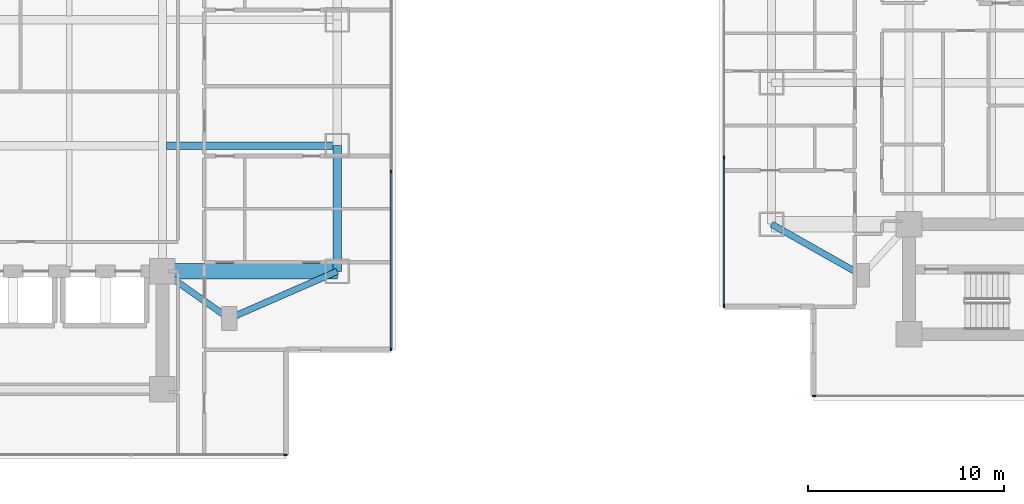
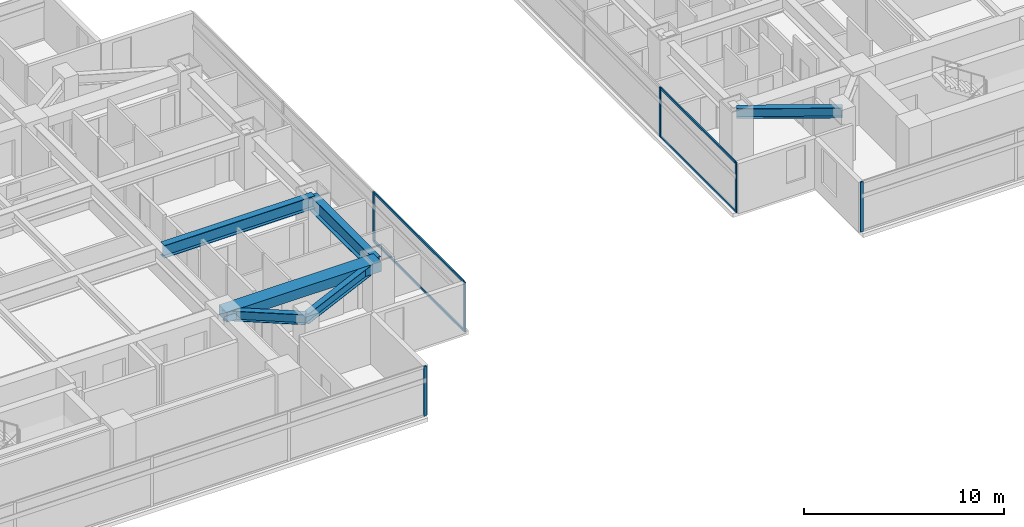
# One storey, part 4 of 25: 10 members, 6 beams, 4 elements without a shape of their own.
"""IFC4 building model written with IfcOpenShell, lengths in metres."""

import ifcopenshell
import ifcopenshell.guid

model = None  # the IFC model being written
_history = None  # IfcOwnerHistory: only IFC2X3 demands one
_inside = {}  # id of a spatial element -> (the spatial element, [elements in it])
_under = {}  # id of a project, library or spatial element -> (it, [spatial elements below it])
_declared = {}  # id of a project -> (the project, [libraries it declares])
_typed = {}  # id of a type object -> (the type object, [elements of that type])
_made_of = {}  # id of a material, layer set ... -> (it, [elements and type objects made of it])


def new_model(schema):
    """Start an empty IFC model of exactly this schema.

    Asked for "IFC4X3", IfcOpenShell would pick the latest addendum, in which some entities
    have other attributes; the version numbers below select the first issue.
    IFC2X3 requires an IfcOwnerHistory on every rooted entity: one is made here for all.
    """
    global model, _history
    if schema == "IFC4X3":
        model = ifcopenshell.file(schema_version=(4, 3, 0, 0))
    else:
        model = ifcopenshell.file(schema=schema)
    _inside.clear()
    _under.clear()
    _declared.clear()
    _typed.clear()
    _made_of.clear()
    _history = None
    if model.schema == "IFC2X3":
        org = make("IfcOrganization", Name="unknown")
        user = make(
            "IfcPersonAndOrganization",
            ThePerson=make("IfcPerson", FamilyName="unknown"),
            TheOrganization=org,
        )
        app = make(
            "IfcApplication",
            ApplicationDeveloper=org,
            Version="unknown",
            ApplicationFullName="unknown",
            ApplicationIdentifier="unknown",
        )
        _history = make(
            "IfcOwnerHistory",
            OwningUser=user,
            OwningApplication=app,
            ChangeAction="ADDED",
            CreationDate=0,
        )
    return model


def make(cls, **values):
    """One entity of the class cls with the attributes given. An attribute that is None is left unset."""
    return model.create_entity(
        cls, **{name: value for name, value in values.items() if value is not None}
    )


def rooted(cls, **values):
    """An entity with a GlobalId (a new one), such as an element, a storey or a relation."""
    return make(cls, GlobalId=ifcopenshell.guid.new(), OwnerHistory=_history, **values)


def si_unit(unit_type, name, prefix=None):
    """IfcSIUnit, for example si_unit("LENGTHUNIT", "METRE", prefix="MILLI")."""
    return make("IfcSIUnit", UnitType=unit_type, Prefix=prefix, Name=name)


def assignment(units):
    """IfcUnitAssignment: the units of a project."""
    return None if units is None else make("IfcUnitAssignment", Units=units)


def point(xyz):
    """IfcCartesianPoint."""
    return None if xyz is None else make("IfcCartesianPoint", Coordinates=xyz)


def direction(xyz):
    """IfcDirection."""
    return None if xyz is None else make("IfcDirection", DirectionRatios=xyz)


def frame(location, z_axis=None, x_axis=None):
    """IfcAxis2Placement3D, a coordinate frame: its origin and axes. An axis left out is left unset."""
    return make(
        "IfcAxis2Placement3D",
        Location=point(location),
        Axis=direction(z_axis),
        RefDirection=direction(x_axis),
    )


def frame_2d(location, x_axis=None):
    """IfcAxis2Placement2D, a coordinate frame in the plane: its origin and x axis."""
    return make(
        "IfcAxis2Placement2D", Location=point(location), RefDirection=direction(x_axis)
    )


def origin():
    """The frame at (0, 0, 0) with its axes left unset."""
    return frame((0.0, 0.0, 0.0))


def origin_2d():
    """The frame at (0, 0) in the plane with its x axis left unset."""
    return frame_2d((0.0, 0.0))


def place(relative_to, where):
    """IfcLocalPlacement: puts the frame where relative to a parent placement (None: the world)."""
    return make(
        "IfcLocalPlacement", PlacementRelTo=relative_to, RelativePlacement=where
    )


def context(
    kind, dimensions, precision=None, world=None, true_north=None, identifier=None
):
    """IfcGeometricRepresentationContext, for example the 3D "Model" context."""
    return make(
        "IfcGeometricRepresentationContext",
        ContextIdentifier=identifier,
        ContextType=kind,
        CoordinateSpaceDimension=dimensions,
        Precision=precision,
        WorldCoordinateSystem=world,
        TrueNorth=true_north,
    )


def subcontext(parent, identifier, kind, view, scale=None):
    """IfcGeometricRepresentationSubContext, for example "Body" below "Model"."""
    return make(
        "IfcGeometricRepresentationSubContext",
        ContextIdentifier=identifier,
        ContextType=kind,
        ParentContext=parent,
        TargetScale=scale,
        TargetView=view,
    )


def project(units=None, contexts=None):
    """IfcProject with its units and contexts."""
    return rooted(
        "IfcProject",
        Name="project",
        RepresentationContexts=contexts,
        UnitsInContext=assignment(units),
    )


def spatial(cls, under=None, at=None, **own):
    """A site, building, storey or space (cls), placed at a placement, below another one or the project."""
    s = rooted(cls, ObjectPlacement=at, **own)
    if under is not None:
        _under.setdefault(under.id(), (under, []))[1].append(s)
    return s


def profile(cls, at=None, kind="AREA", **sizes):
    """A parametric profile (cls). Its sizes go by their IFC names, for example OverallWidth=200.0."""
    return make(cls, ProfileType=kind, Position=at, **sizes)


def rectangle(**sizes):
    """IfcRectangleProfileDef."""
    return profile("IfcRectangleProfileDef", **sizes)


def i_section(**sizes):
    """IfcIShapeProfileDef."""
    return profile("IfcIShapeProfileDef", **sizes)


def extrude(swept, where, along, depth):
    """IfcExtrudedAreaSolid: the profile swept, set in the frame where, extruded along a direction by depth."""
    return make(
        "IfcExtrudedAreaSolid",
        SweptArea=swept,
        Position=where,
        ExtrudedDirection=direction(along),
        Depth=depth,
    )


def shape(context_of_items, identifier, shape_type, items):
    """IfcShapeRepresentation: the items that make up one representation, for example the "Body"."""
    return make(
        "IfcShapeRepresentation",
        ContextOfItems=context_of_items,
        RepresentationIdentifier=identifier,
        RepresentationType=shape_type,
        Items=items,
    )


def material(Name=None, Category=None):
    """IfcMaterial."""
    return make("IfcMaterial", Name=Name, Category=Category)


def material_profile(
    of_material, cross_section, Name=None, Category=None, Priority=None
):
    """IfcMaterialProfile: a cross section and its material."""
    return make(
        "IfcMaterialProfile",
        Name=Name,
        Material=of_material,
        Profile=cross_section,
        Priority=Priority,
        Category=Category,
    )


def profile_set(profiles, Name=None, composite=None):
    """IfcMaterialProfileSet."""
    return make(
        "IfcMaterialProfileSet",
        Name=Name,
        MaterialProfiles=profiles,
        CompositeProfile=composite,
    )


def made_of(thing, what):
    """Note that an element or type object is made of a material, layer set ...; save() writes the relation."""
    if what is not None:
        _made_of.setdefault(what.id(), (what, []))[1].append(thing)
    return thing


def type_object(cls, material=None, **own):
    """A type object (cls), such as IfcWallType, which elements share."""
    return made_of(rooted(cls, **own), material)


def element(
    cls,
    number,
    at=None,
    inside=None,
    cuts=None,
    type_object=None,
    material=None,
    context=None,
    identifier="Body",
    shape_type=None,
    held_by="IfcProductDefinitionShape",
    body=None,
    shapes=None,
    **own,
):
    """One element of the class cls, such as IfcWall. Its Tag is "e" and its number.

    at: its placement. inside: the storey or other place that contains it. cuts: it is an
    opening in that element (IfcRelVoidsElement). A single representation is given by context,
    identifier, shape_type and body (its items); several are given by shapes. held_by: the class
    of the entity that holds the representations. save() writes the other relations.
    """
    e = rooted(cls, Tag="e%d" % number, ObjectPlacement=at, **own)
    if body is not None:
        shapes = [shape(context, identifier, shape_type, body)]
    if shapes is not None:
        e.Representation = make(held_by, Representations=shapes)
    if inside is not None:
        _inside.setdefault(inside.id(), (inside, []))[1].append(e)
    if cuts is not None:
        rooted(
            "IfcRelVoidsElement", RelatingBuildingElement=cuts, RelatedOpeningElement=e
        )
    if type_object is not None:
        _typed.setdefault(type_object.id(), (type_object, []))[1].append(e)
    return made_of(e, material)


def aggregate(whole, parts):
    """IfcRelAggregates: a whole, such as a stair, and the parts it consists of."""
    return rooted("IfcRelAggregates", RelatingObject=whole, RelatedObjects=parts)


def save(model, path):
    """Write the relations noted so far, then the file.

    IfcRelAggregates (storeys below a building ...), IfcRelContainedInSpatialStructure (elements
    in a storey), IfcRelDefinesByType, IfcRelAssociatesMaterial and IfcRelDeclares: one each for
    every whole, place, type object, material and project.
    """
    for whole, parts in _under.values():
        aggregate(whole, parts)
    for where, things in _inside.values():
        rooted(
            "IfcRelContainedInSpatialStructure",
            RelatedElements=things,
            RelatingStructure=where,
        )
    for kind, things in _typed.values():
        rooted("IfcRelDefinesByType", RelatedObjects=things, RelatingType=kind)
    for what, things in _made_of.values():
        rooted("IfcRelAssociatesMaterial", RelatedObjects=things, RelatingMaterial=what)
    for by, libraries in _declared.values():
        rooted("IfcRelDeclares", RelatingContext=by, RelatedDefinitions=libraries)
    model.write(path)


model = new_model("IFC4")

# Units and contexts
model_context = context("Model", 3, precision=1e-05, world=origin(), true_north=direction((0.0, 1.0)))
body_context = subcontext(model_context, "Body", "Model", "MODEL_VIEW")
ifc_project = project(units=[si_unit("LENGTHUNIT", "METRE"), si_unit("AREAUNIT", "SQUARE_METRE"), si_unit("VOLUMEUNIT", "CUBIC_METRE"), si_unit("PLANEANGLEUNIT", "RADIAN"), si_unit("MASSUNIT", "GRAM", prefix="KILO")], contexts=[model_context])

# Site, building, storey
site_placement = place(None, origin())
site = spatial("IfcSite", under=ifc_project, at=site_placement, CompositionType="ELEMENT")
building_placement = place(site_placement, origin())
building = spatial("IfcBuilding", under=site, at=building_placement, Name="Mirazonda Arch Towers", CompositionType="ELEMENT")
storey_placement = place(building_placement, frame((0.0, 0.0, 58.699951171875)))
storey = spatial("IfcBuildingStorey", under=building, at=storey_placement, Name="L16", CompositionType="ELEMENT", Elevation=58.699951171875)

# Beams
ifc_material_1 = material(Name="Steel ASTM A992 Grade 50", Category="steel")
ifc_material_profile_1 = material_profile(ifc_material_1, i_section(OverallWidth=0.41796875, OverallDepth=0.927001953125, WebThickness=0.019287109375, FlangeThickness=0.031982421875, at=origin_2d()), Name="W36X231")
ifc_profile_set_1 = profile_set([ifc_material_profile_1], Name="Steel ASTM A992 Grade 50")
beam_type_1 = type_object("IfcBeamType", Name="BM-EXT-W36X231", PredefinedType="USERDEFINED", material=ifc_profile_set_1)
beam_1_placement = place(storey_placement, frame((38.89990234375, 18.39990234375, 2.596435546875), z_axis=(0.0, 1.0, 0.0), x_axis=(-1.0, 0.0, 0.0)))
element("IfcBeam", 1, at=beam_1_placement, inside=storey, type_object=beam_type_1, Name="L16 Floor Beam BM-T1-L16-NS-E-18", ObjectType="GIRDER", PredefinedType="USERDEFINED", context=body_context, shape_type="SweptSolid", body=[
    extrude(i_section(OverallWidth=0.41796875, OverallDepth=0.927001953125, WebThickness=0.019287109375, FlangeThickness=0.031982421875, at=origin_2d()), origin(), (0.0, 0.0, 1.0), 6.400146484375),
])
ifc_material_profile_2 = material_profile(ifc_material_1, i_section(OverallWidth=0.324951171875, OverallDepth=0.615966796875, WebThickness=0.013916015625, FlangeThickness=0.021484375, at=origin_2d()), Name="W24X117")
ifc_profile_set_2 = profile_set([ifc_material_profile_2], Name="Steel ASTM A992 Grade 50")
beam_type_2 = type_object("IfcBeamType", Name="BM-INT-W24X117", PredefinedType="BEAM", material=ifc_profile_set_2)
beam_2_placement = place(storey_placement, frame((33.39990234375, 16.0, 2.751953125), z_axis=(-0.816971114901, 0.576678591087, 0.0), x_axis=(-0.576678591087, -0.816971114901, 0.0)))
element("IfcBeam", 2, at=beam_2_placement, inside=storey, type_object=beam_type_2, Name="L16 Floor Beam BM-T1-L16-PL-SE1", PredefinedType="BEAM", context=body_context, shape_type="SweptSolid", body=[
    extrude(i_section(OverallWidth=0.324951171875, OverallDepth=0.615966796875, WebThickness=0.013916015625, FlangeThickness=0.021484375, at=origin_2d()), origin(), (0.0, 0.0, 1.0), 4.16162109375),
])
beam_3_placement = place(storey_placement, frame((33.39990234375, 16.0, 2.751953125), z_axis=(0.916545343703, 0.399930785183, 0.0), x_axis=(-0.399930785183, 0.916545343703, 0.0)))
element("IfcBeam", 3, at=beam_3_placement, inside=storey, type_object=beam_type_2, Name="L16 Floor Beam BM-T1-L16-PL-SE2", PredefinedType="BEAM", context=body_context, shape_type="SweptSolid", body=[
    extrude(i_section(OverallWidth=0.324951171875, OverallDepth=0.615966796875, WebThickness=0.013916015625, FlangeThickness=0.021484375, at=origin_2d()), origin(), (0.0, 0.0, 1.0), 6.000732421875),
])
beam_4_placement = place(storey_placement, frame((65.60009765625, 18.199951171875, 2.751953125), z_axis=(-0.870559396632, 0.492063346467, 0.0), x_axis=(-0.492063346467, -0.870559396632, 0.0)))
element("IfcBeam", 4, at=beam_4_placement, inside=storey, type_object=beam_type_2, Name="L16 Floor Beam BM-T2-L16-PL-SW2", PredefinedType="BEAM", context=body_context, shape_type="SweptSolid", body=[
    extrude(i_section(OverallWidth=0.324951171875, OverallDepth=0.615966796875, WebThickness=0.013916015625, FlangeThickness=0.021484375, at=origin_2d()), origin(), (0.0, 0.0, 1.0), 5.2841796875),
])
ifc_material_profile_3 = material_profile(ifc_material_1, i_section(OverallWidth=0.381103515625, OverallDepth=0.77294921875, WebThickness=0.0166015625, FlangeThickness=0.027099609375, at=origin_2d()), Name="W30X173")
ifc_profile_set_3 = profile_set([ifc_material_profile_3], Name="Steel ASTM A992 Grade 50")
beam_type_3 = type_object("IfcBeamType", Name="BM-INT-W30X173", PredefinedType="USERDEFINED", material=ifc_profile_set_3)
beam_5_placement = place(storey_placement, frame((30.21142578125, 24.800048828125, 2.673583984375), z_axis=(1.0, 0.0, 0.0), x_axis=(0.0, 1.0, 0.0)))
element("IfcBeam", 5, at=beam_5_placement, inside=storey, type_object=beam_type_3, Name="L16 Floor Beam BM-T1-L16-GE2", ObjectType="GIRDER", PredefinedType="USERDEFINED", context=body_context, shape_type="SweptSolid", body=[
    extrude(i_section(OverallWidth=0.381103515625, OverallDepth=0.77294921875, WebThickness=0.0166015625, FlangeThickness=0.027099609375, at=origin_2d()), origin(), (0.0, 0.0, 1.0), 8.6884765625),
])
ifc_material_2 = material(Name="Concrete C60/75", Category="concrete")
ifc_material_profile_4 = material_profile(ifc_material_2, rectangle(XDim=0.800048828125, YDim=0.60009765625, at=origin_2d()), Name="RCCB800x600")
ifc_profile_set_4 = profile_set([ifc_material_profile_4], Name="Concrete C60/75")
beam_type_4 = type_object("IfcBeamType", Name="CB-INT-RCCB800x600", PredefinedType="SPANDREL", material=ifc_profile_set_4)
beam_6_placement = place(storey_placement, frame((30.0, 18.39990234375, 2.760009765625), z_axis=(1.0, 0.0, 0.0), x_axis=(0.0, 1.0, 0.0)))
element("IfcBeam", 6, at=beam_6_placement, inside=storey, type_object=beam_type_4, Name="L16 Floor Beam CBC-T1-L16-SE", PredefinedType="SPANDREL", context=body_context, shape_type="SweptSolid", body=[
    extrude(rectangle(XDim=0.800048828125, YDim=0.60009765625, at=origin_2d()), origin(), (0.0, 0.0, 1.0), 8.89990234375),
])

# Curtain wall, member
ifc_material_3 = material(Name="Anodised Aluminium and Low-E Glass", Category="aluminium")
curtain_wall_type = type_object("IfcCurtainWallType", Name="CW-HTL-UNIT", PredefinedType="NOTDEFINED", material=ifc_material_3)
curtain_wall_1_placement = place(storey_placement, origin())
curtain_wall_1 = element("IfcCurtainWall", 7, at=curtain_wall_1_placement, inside=storey, type_object=curtain_wall_type, Name="L16 T1 S Facade CW-L16-T1-S", PredefinedType="NOTDEFINED")
ifc_material_4 = material(Name="Anodised Aluminium Alloy", Category="aluminium")
ifc_material_profile_5 = material_profile(ifc_material_4, rectangle(XDim=0.074951171875, YDim=0.1650390625, at=origin_2d()), Name="ALU-MULL-75x165")
ifc_profile_set_5 = profile_set([ifc_material_profile_5], Name="Anodised Aluminium Alloy")
member_type_1 = type_object("IfcMemberType", Name="MULL-CW-HTL-UNIT", PredefinedType="MULLION", material=ifc_profile_set_5)
member_1_placement = place(storey_placement, frame((36.262451171875, 9.06396484375, 0.0), z_axis=(0.0, 0.0, 1.0), x_axis=(0.0, -1.0, 0.0)))
member_1 = element("IfcMember", 8, at=member_1_placement, type_object=member_type_1, Name="CW-112 mullion 1", PredefinedType="MULLION", context=body_context, shape_type="SweptSolid", body=[
    extrude(rectangle(XDim=0.074951171875, YDim=0.1650390625, at=origin_2d()), origin(), (0.0, 0.0, 1.0), 3.0400390625),
])
aggregate(curtain_wall_1, [member_1])

# Curtain wall, members
curtain_wall_2_placement = place(storey_placement, origin())
curtain_wall_2 = element("IfcCurtainWall", 9, at=curtain_wall_2_placement, inside=storey, type_object=curtain_wall_type, Name="L16 T1 E Facade CW-L16-T1-E", PredefinedType="NOTDEFINED")
member_2_placement = place(storey_placement, frame((41.639892578125, 14.44140625, 0.0), z_axis=(0.0, 0.0, 1.0), x_axis=(-1.0, 0.0, 0.0)))
member_2 = element("IfcMember", 10, at=member_2_placement, type_object=member_type_1, Name="CW-112 mullion 1", PredefinedType="MULLION", context=body_context, shape_type="SweptSolid", body=[
    extrude(rectangle(XDim=0.074951171875, YDim=0.1650390625, at=origin_2d()), origin(), (0.0, 0.0, 1.0), 3.0400390625),
])
member_3_placement = place(storey_placement, frame((41.639892578125, 23.468017578125, 0.0), z_axis=(0.0, 0.0, 1.0), x_axis=(-1.0, 0.0, 0.0)))
member_3 = element("IfcMember", 11, at=member_3_placement, type_object=member_type_1, Name="CW-112 mullion 2", PredefinedType="MULLION", context=body_context, shape_type="SweptSolid", body=[
    extrude(rectangle(XDim=0.074951171875, YDim=0.1650390625, at=origin_2d()), origin(), (0.0, 0.0, 1.0), 3.0400390625),
])

# Curtain wall, member
curtain_wall_3_placement = place(storey_placement, origin())
curtain_wall_3 = element("IfcCurtainWall", 12, at=curtain_wall_3_placement, inside=storey, type_object=curtain_wall_type, Name="L16 T2 S Facade CW-L16-T2-S", PredefinedType="NOTDEFINED")
member_4_placement = place(storey_placement, frame((63.16748046875, 12.057373046875, 0.0), z_axis=(0.0, 0.0, 1.0), x_axis=(0.0, -1.0, 0.0)))
member_4 = element("IfcMember", 13, at=member_4_placement, type_object=member_type_1, Name="CW-112 mullion 4", PredefinedType="MULLION", context=body_context, shape_type="SweptSolid", body=[
    extrude(rectangle(XDim=0.074951171875, YDim=0.1650390625, at=origin_2d()), origin(), (0.0, 0.0, 1.0), 3.0400390625),
])
aggregate(curtain_wall_3, [member_4])

# Curtain wall, members
curtain_wall_4_placement = place(storey_placement, origin())
curtain_wall_4 = element("IfcCurtainWall", 14, at=curtain_wall_4_placement, inside=storey, type_object=curtain_wall_type, Name="L16 T2 W Facade CW-L16-T2-W", PredefinedType="NOTDEFINED")
member_5_placement = place(storey_placement, frame((58.583984375, 24.201171875, 0.0), z_axis=(0.0, 0.0, 1.0), x_axis=(1.0, 0.0, 0.0)))
member_5 = element("IfcMember", 15, at=member_5_placement, type_object=member_type_1, Name="CW-112 mullion 3", PredefinedType="MULLION", context=body_context, shape_type="SweptSolid", body=[
    extrude(rectangle(XDim=0.074951171875, YDim=0.1650390625, at=origin_2d()), origin(), (0.0, 0.0, 1.0), 3.0400390625),
])
member_6_placement = place(storey_placement, frame((58.583984375, 16.640869140625, 0.0), z_axis=(0.0, 0.0, 1.0), x_axis=(1.0, 0.0, 0.0)))
member_6 = element("IfcMember", 16, at=member_6_placement, type_object=member_type_1, Name="CW-112 mullion 4", PredefinedType="MULLION", context=body_context, shape_type="SweptSolid", body=[
    extrude(rectangle(XDim=0.074951171875, YDim=0.1650390625, at=origin_2d()), origin(), (0.0, 0.0, 1.0), 3.0400390625),
])

# Member
ifc_material_profile_6 = material_profile(ifc_material_4, rectangle(XDim=0.074951171875, YDim=0.14501953125, at=origin_2d()), Name="ALU-TRAN-75x145")
ifc_profile_set_6 = profile_set([ifc_material_profile_6], Name="Anodised Aluminium Alloy")
member_type_2 = type_object("IfcMemberType", Name="TRAN-CW-HTL-UNIT", PredefinedType="USERDEFINED", material=ifc_profile_set_6)
member_7_placement = place(storey_placement, frame((41.639892578125, 14.47900390625, 0.03759765625), z_axis=(0.0, 1.0, 0.0), x_axis=(-1.0, 0.0, 0.0)))
member_7 = element("IfcMember", 17, at=member_7_placement, type_object=member_type_2, Name="CW-112 transom 1.1", ObjectType="TRANSOM", PredefinedType="USERDEFINED", context=body_context, shape_type="SweptSolid", body=[
    extrude(rectangle(XDim=0.074951171875, YDim=0.14501953125, at=origin_2d()), origin(), (0.0, 0.0, 1.0), 8.951416015625),
])

member_8_placement = place(storey_placement, frame((41.639892578125, 14.47900390625, 3.00244140625), z_axis=(0.0, 1.0, 0.0), x_axis=(-1.0, 0.0, 0.0)))
member_8 = element("IfcMember", 18, at=member_8_placement, type_object=member_type_2, Name="CW-112 transom 1.2", ObjectType="TRANSOM", PredefinedType="USERDEFINED", context=body_context, shape_type="SweptSolid", body=[
    extrude(rectangle(XDim=0.074951171875, YDim=0.14501953125, at=origin_2d()), origin(), (0.0, 0.0, 1.0), 8.951416015625),
])

aggregate(curtain_wall_2, [member_2, member_3, member_7, member_8])

member_9_placement = place(storey_placement, frame((58.583984375, 24.16357421875, 0.03759765625), z_axis=(0.0, -1.0, 0.0), x_axis=(1.0, 0.0, 0.0)))
member_9 = element("IfcMember", 19, at=member_9_placement, type_object=member_type_2, Name="CW-112 transom 3.1", ObjectType="TRANSOM", PredefinedType="USERDEFINED", context=body_context, shape_type="SweptSolid", body=[
    extrude(rectangle(XDim=0.074951171875, YDim=0.14501953125, at=origin_2d()), origin(), (0.0, 0.0, 1.0), 7.485107421875),
])

member_10_placement = place(storey_placement, frame((58.583984375, 24.16357421875, 3.00244140625), z_axis=(0.0, -1.0, 0.0), x_axis=(1.0, 0.0, 0.0)))
member_10 = element("IfcMember", 20, at=member_10_placement, type_object=member_type_2, Name="CW-112 transom 3.2", ObjectType="TRANSOM", PredefinedType="USERDEFINED", context=body_context, shape_type="SweptSolid", body=[
    extrude(rectangle(XDim=0.074951171875, YDim=0.14501953125, at=origin_2d()), origin(), (0.0, 0.0, 1.0), 7.485107421875),
])

aggregate(curtain_wall_4, [member_5, member_6, member_9, member_10])

save(model, "model.ifc")
